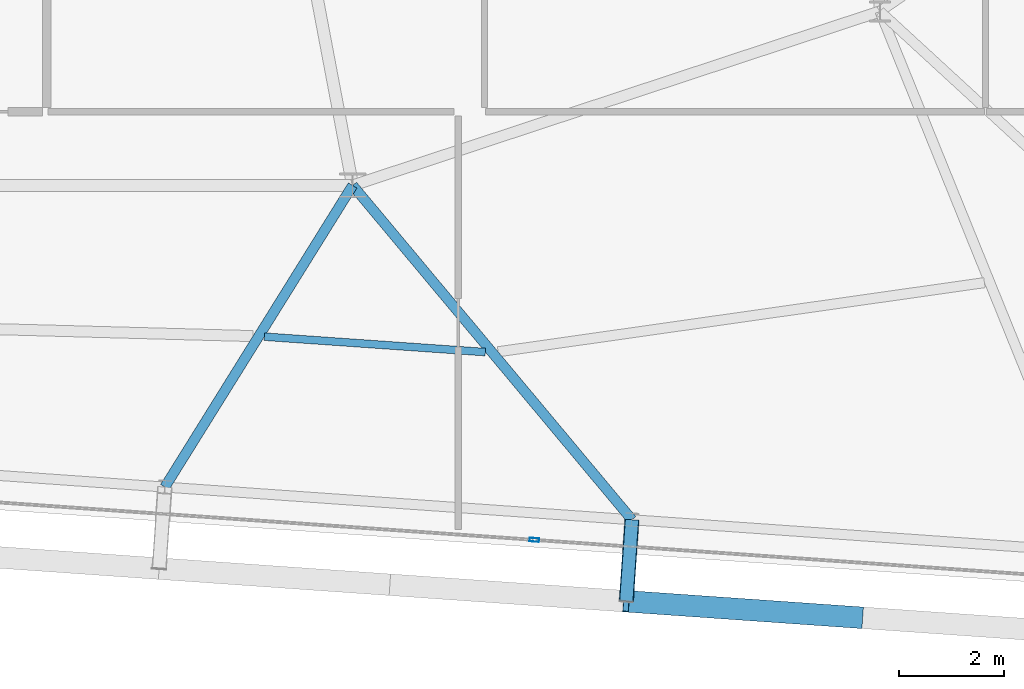
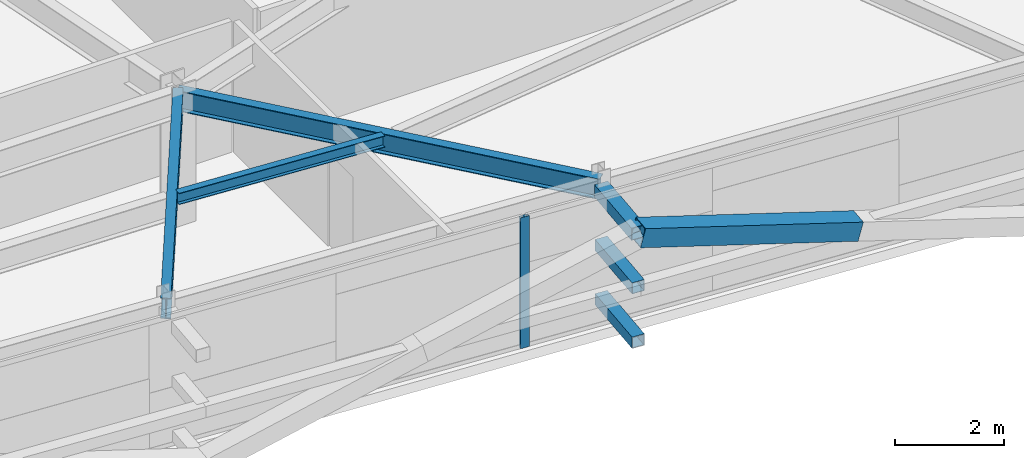
# One storey, part 13 of 39: 5 members, 3 beams, 1 element without a shape of its own.
"""IFC4 building model written with IfcOpenShell, lengths in metres."""

from ifc_helpers import new_model, si_unit, direction, frame, origin, origin_2d, place, context, subcontext, project, spatial, hollow_rectangle, i_section, extrude, source, transform, mapped, material, layer, layer_set, material_profile, profile_set, type_object, element, aggregate, save


model = new_model("IFC4")

# Units and contexts
model_context = context("Model", 3, precision=1e-05, world=origin(), true_north=direction((0.0, 1.0)))
body_context = subcontext(model_context, "Body", "Model", "MODEL_VIEW")
ifc_project = project(units=[si_unit("LENGTHUNIT", "METRE"), si_unit("AREAUNIT", "SQUARE_METRE"), si_unit("VOLUMEUNIT", "CUBIC_METRE"), si_unit("PLANEANGLEUNIT", "RADIAN"), si_unit("MASSUNIT", "GRAM", prefix="KILO")], contexts=[model_context])

# Site, building, storey
site_placement = place(None, origin())
site = spatial("IfcSite", under=ifc_project, at=site_placement, CompositionType="ELEMENT")
building_placement = place(site_placement, origin())
building = spatial("IfcBuilding", under=site, at=building_placement, Name="Taldren Reach Tower", CompositionType="ELEMENT")
storey_placement = place(building_placement, frame((0.0, 0.0, 129.85009765625)))
storey = spatial("IfcBuildingStorey", under=building, at=storey_placement, Name="L39", CompositionType="ELEMENT", Elevation=129.85009765625)

# Members
ifc_material_1 = material(Name="Steel Gr 450 (C450L0)", Category="steel")
ifc_material_profile_1 = material_profile(ifc_material_1, hollow_rectangle(XDim=0.27490234375, YDim=0.27490234375, WallThickness=0.00927734375, at=origin_2d()), Name="275x275x9.3SHS")
ifc_profile_set_1 = profile_set([ifc_material_profile_1], Name="Steel Gr 450 (C450L0)")
member_type_1 = type_object("IfcMemberType", Name="MB-TIE273", PredefinedType="STRUT", material=ifc_profile_set_1)
shared_shape_1 = source(origin(), body_context, "Body", "SweptSolid", [
    extrude(hollow_rectangle(XDim=0.27490234375, YDim=0.27490234375, WallThickness=0.00927734375, at=origin_2d()), origin(), (0.0, 0.0, 1.0), 1.5498046875),
])
member_1_placement = place(storey_placement, frame((47.297119140625, 2.860595703125, 2.64990234375), z_axis=(-0.069780535098, -0.997562367434, 0.0), x_axis=(0.997562367434, -0.069780535098, 0.0)))
element("IfcMember", 1, at=member_1_placement, inside=storey, type_object=member_type_1, Name="Exoskeleton diaphragm tie strut B3-S5 L39", PredefinedType="STRUT", context=body_context, shape_type="MappedRepresentation", body=[
    mapped(shared_shape_1, transform((0.0, 0.0, 0.0), scale=1.0)),
])
ifc_material_2 = material(Name="Steel Gr 350 (C350L0)", Category="steel")
ifc_material_profile_2 = material_profile(ifc_material_2, hollow_rectangle(XDim=0.25, YDim=0.25, WallThickness=0.010009765625, at=origin_2d()), Name="250x250x10.0SHS")
ifc_profile_set_2 = profile_set([ifc_material_profile_2], Name="Steel Gr 350 (C350L0)")
member_type_2 = type_object("IfcMemberType", Name="MB-POST250", PredefinedType="POST", material=ifc_profile_set_2)
shared_shape_2 = source(origin(), body_context, "Body", "SweptSolid", [
    extrude(hollow_rectangle(XDim=0.25, YDim=0.25, WallThickness=0.010009765625, at=origin_2d()), origin(), (0.0, 0.0, 1.0), 1.5498046875),
])
for number, where, z_axis, x_axis, name in (
    (2, (47.297119140625, 2.860595703125, 0.219970703125), (-0.069780535098, -0.997562367434, 0.0), (0.997562367434, -0.069780535098, 0.0), "Exoskeleton base diaphragm tie strut B3-S5 L39"),
    (3, (47.297119140625, 2.860595703125, 1.434814453125), (-0.069780535098, -0.997562367434, 0.0), (0.997562367434, -0.069780535098, 0.0), "Exoskeleton mid-tier diaphragm tie B3-S5 L39"),
):
    element("IfcMember", number, at=place(storey_placement, frame(where, z_axis=z_axis, x_axis=x_axis)), inside=storey, type_object=member_type_2, Name=name, PredefinedType="POST", context=body_context, shape_type="MappedRepresentation", body=[
        mapped(shared_shape_2, transform((0.0, 0.0, 0.0), scale=1.0)),
    ])

# Beams
ifc_material_3 = material(Name="Steel Gr 350 (350PLUS)", Category="steel")
ifc_material_profile_3 = material_profile(ifc_material_3, i_section(OverallWidth=0.19091796875, OverallDepth=0.4599609375, WebThickness=0.010009765625, FlangeThickness=0.01611328125, at=origin_2d()), Name="460UB82.1")
ifc_profile_set_3 = profile_set([ifc_material_profile_3], Name="Steel Gr 350 (350PLUS)")
beam_type_1 = type_object("IfcBeamType", Name="BM-UB460A", PredefinedType="BEAM", material=ifc_profile_set_3)
shared_shape_3 = source(origin(), body_context, "Body", "SweptSolid", [
    extrude(i_section(OverallWidth=0.19091796875, OverallDepth=0.4599609375, WebThickness=0.010009765625, FlangeThickness=0.01611328125, at=origin_2d()), origin(), (0.0, 0.0, 1.0), 6.73779296875),
])
beam_1_placement = place(storey_placement, frame((42.0, 9.199951171875, 2.699951171875), z_axis=(-0.528552048024, -0.848900896765, 0.0), x_axis=(0.848900896765, -0.528552048024, 0.0)))
element("IfcBeam", 4, at=beam_1_placement, inside=storey, type_object=beam_type_1, Name="Primary floor girder B3-S4 L39", PredefinedType="BEAM", context=body_context, shape_type="MappedRepresentation", body=[
    mapped(shared_shape_3, transform((0.0, 0.0, 0.0), scale=1.0)),
])
shared_shape_4 = source(origin(), body_context, "Body", "SweptSolid", [
    extrude(i_section(OverallWidth=0.19091796875, OverallDepth=0.4599609375, WebThickness=0.010009765625, FlangeThickness=0.01611328125, at=origin_2d()), origin(), (0.0, 0.0, 1.0), 8.26123046875),
])
beam_2_placement = place(storey_placement, frame((42.0, 9.199951171875, 2.699951171875), z_axis=(0.64120703686, -0.767367927322, 0.0), x_axis=(0.767367927322, 0.64120703686, 0.0)))
element("IfcBeam", 5, at=beam_2_placement, inside=storey, type_object=beam_type_1, Name="Primary floor girder B3-S5 L39", PredefinedType="BEAM", context=body_context, shape_type="MappedRepresentation", body=[
    mapped(shared_shape_4, transform((0.0, 0.0, 0.0), scale=1.0)),
])
ifc_material_4 = material(Name="Steel Gr 300 (300PLUS, 300 MPa)", Category="steel")
ifc_material_profile_4 = material_profile(ifc_material_4, i_section(OverallWidth=0.14599609375, OverallDepth=0.256103515625, WebThickness=0.00634765625, FlangeThickness=0.010986328125, at=origin_2d()), Name="250UB37.3")
ifc_profile_set_4 = profile_set([ifc_material_profile_4], Name="Steel Gr 300 (300PLUS, 300 MPa)")
beam_type_2 = type_object("IfcBeamType", Name="JS-UB250", PredefinedType="JOIST", material=ifc_profile_set_4)
shared_shape_5 = source(origin(), body_context, "Body", "SweptSolid", [
    extrude(i_section(OverallWidth=0.14599609375, OverallDepth=0.256103515625, WebThickness=0.00634765625, FlangeThickness=0.010986328125, at=origin_2d()), origin(), (0.0, 0.0, 1.0), 4.199462890625),
])
beam_3_placement = place(storey_placement, frame((40.3271484375, 6.33251953125, 2.802001953125), z_axis=(0.99756354117, -0.069763753681, 0.0), x_axis=(0.069763753681, 0.99756354117, 0.0)))
element("IfcBeam", 6, at=beam_3_placement, inside=storey, type_object=beam_type_2, Name="Secondary floor joist B3 J4 L39", PredefinedType="JOIST", context=body_context, shape_type="MappedRepresentation", body=[
    mapped(shared_shape_5, transform((0.0, 0.0, 0.0), scale=1.0)),
])

# Member
ifc_material_profile_5 = material_profile(ifc_material_1, hollow_rectangle(XDim=0.409912109375, YDim=0.409912109375, WallThickness=0.01611328125, at=origin_2d()), Name="410x410x16.0SHS")
ifc_profile_set_5 = profile_set([ifc_material_profile_5], Name="Steel Gr 450 (C450L0)")
member_type_3 = type_object("IfcMemberType", Name="MB-EXO406", PredefinedType="BRACE", material=ifc_profile_set_5)
shared_shape_6 = source(origin(), body_context, "Body", "SweptSolid", [
    extrude(hollow_rectangle(XDim=0.409912109375, YDim=0.409912109375, WallThickness=0.01611328125, at=origin_2d()), origin(), (0.0, 0.0, 1.0), 4.603271484375),
])
member_2_placement = place(storey_placement, frame((51.6181640625, 1.004638671875, 1.434814453125), z_axis=(-0.962182351074, 0.067302910567, 0.263961060594), x_axis=(-0.06977769246, -0.997562566276, 0.0)))
element("IfcMember", 7, at=member_2_placement, inside=storey, type_object=member_type_3, Name="Exoskeleton Diagrid Brace B3-S5 L39", PredefinedType="BRACE", context=body_context, shape_type="MappedRepresentation", body=[
    mapped(shared_shape_6, transform((0.0, 0.0, 0.0), scale=1.0)),
])

# Curtain wall, member
ifc_material_5 = material(Name="Aluminium and Low-E Glass Unitised System", Category="aluminium")
ifc_layer = layer(ifc_material_5, 0.159912109375)
ifc_layer_set = layer_set([ifc_layer], Name="Aluminium and Low-E Glass Unitised System")
curtain_wall_type = type_object("IfcCurtainWallType", Name="CW-SYS-4", PredefinedType="NOTDEFINED", material=ifc_layer_set)
curtain_wall_placement = place(storey_placement, origin())
curtain_wall = element("IfcCurtainWall", 8, at=curtain_wall_placement, inside=storey, type_object=curtain_wall_type, Name="Unitised curtain wall CW-L39-S", PredefinedType="NOTDEFINED")
ifc_material_6 = material(Name="Anodised Aluminium 6063-T6", Category="aluminium")
ifc_material_profile_6 = material_profile(ifc_material_6, hollow_rectangle(XDim=0.070068359375, YDim=0.179931640625, WallThickness=0.00390625, at=origin_2d()), Name="ALU-180x70x4RHS")
ifc_profile_set_6 = profile_set([ifc_material_profile_6], Name="Anodised Aluminium 6063-T6")
member_type_4 = type_object("IfcMemberType", Name="CW-MUL-180", PredefinedType="MULLION", material=ifc_profile_set_6)
shared_shape_7 = source(origin(), body_context, "Body", "SweptSolid", [
    extrude(hollow_rectangle(XDim=0.070068359375, YDim=0.179931640625, WallThickness=0.00390625, at=origin_2d()), origin(), (0.0, 0.0, 1.0), 2.929931640625),
])
member_3_placement = place(storey_placement, frame((45.44580078125, 2.478759765625, 0.0), z_axis=(0.0, 0.0, 1.0), x_axis=(0.06975651593, 0.99756404731, 0.0)))
member_3 = element("IfcMember", 9, at=member_3_placement, type_object=member_type_4, Name="CW-4 mullion 4", PredefinedType="MULLION", context=body_context, shape_type="MappedRepresentation", body=[
    mapped(shared_shape_7, transform((0.0, 0.0, 0.0), scale=1.0)),
])
aggregate(curtain_wall, [member_3])

save(model, "model.ifc")
